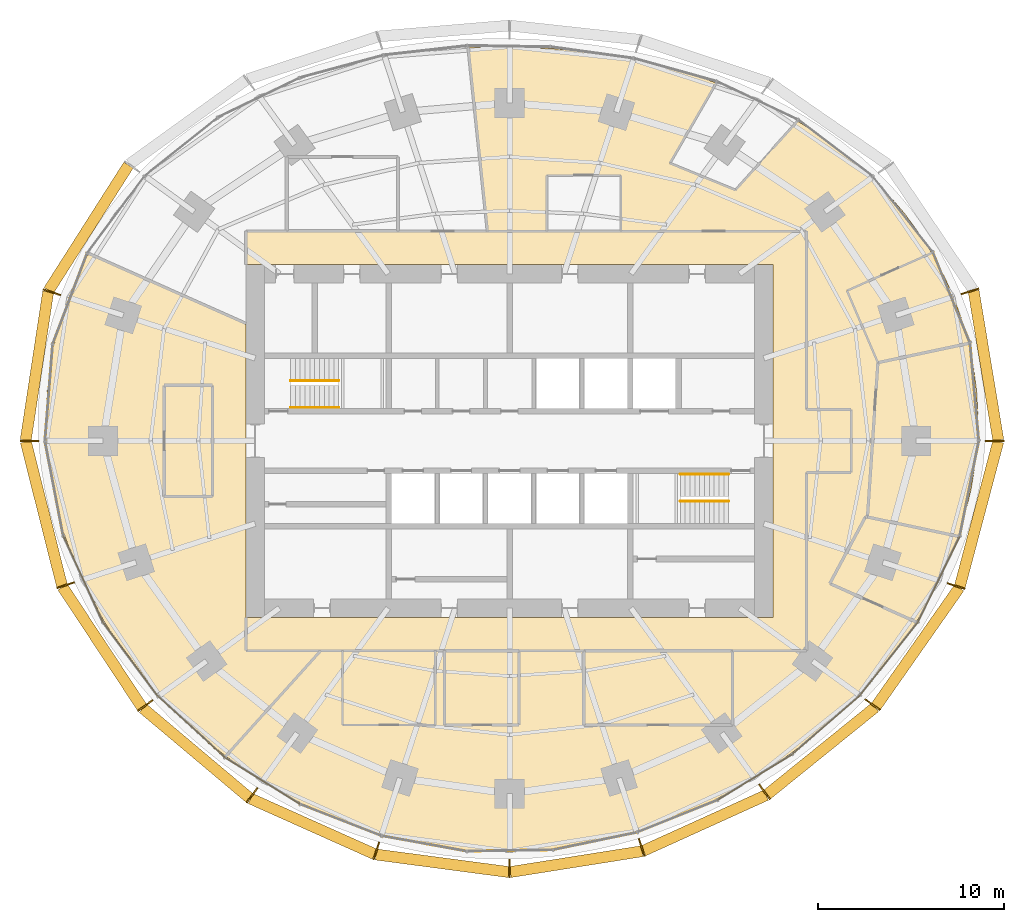
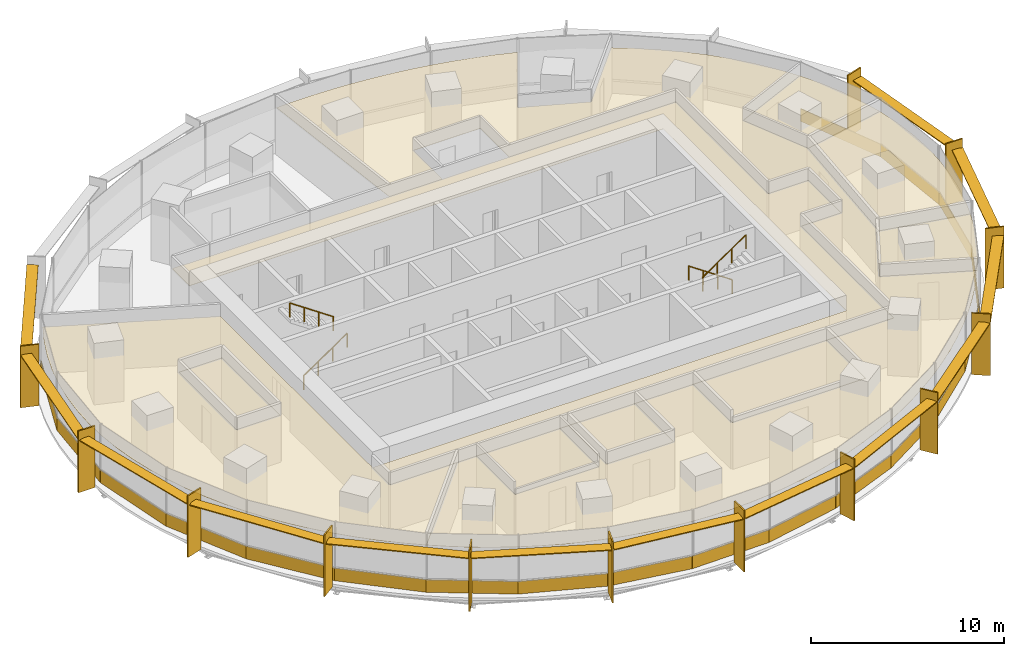
# One storey, part 13 of 14: 29 coverings, 26 shading devices, 4 railings.
"""IFC4 building model written with IfcOpenShell, lengths in metres."""

from ifc_helpers import new_model, si_unit, direction, frame, origin, origin_2d, place, context, subcontext, project, spatial, polyline, rectangle, circle, outline, extrude, material, layer, layer_set, type_object, element, save


model = new_model("IFC4")

# Units and contexts
model_context = context("Model", 3, precision=1e-05, world=origin(), true_north=direction((0.0, 1.0)))
body_context = subcontext(model_context, "Body", "Model", "MODEL_VIEW")
ifc_project = project(units=[si_unit("LENGTHUNIT", "METRE"), si_unit("AREAUNIT", "SQUARE_METRE"), si_unit("VOLUMEUNIT", "CUBIC_METRE"), si_unit("PLANEANGLEUNIT", "RADIAN"), si_unit("MASSUNIT", "GRAM", prefix="KILO")], contexts=[model_context])

# Site, building, storey
site_placement = place(None, origin())
site = spatial("IfcSite", under=ifc_project, at=site_placement, CompositionType="ELEMENT")
building_placement = place(site_placement, origin())
building = spatial("IfcBuilding", under=site, at=building_placement, Name="Marramba Exchange Tower", CompositionType="ELEMENT")
storey_placement = place(building_placement, frame((0.0, 0.0, 127.5)))
storey = spatial("IfcBuildingStorey", under=building, at=storey_placement, Name="L30", CompositionType="ELEMENT", Elevation=127.5)

# Shading devices
ifc_material_1 = material(Name="Aluminium blade, timber-look bronze finish", Category="wood")
ifc_layer_1 = layer(ifc_material_1, 0.080078125)
ifc_layer_set_1 = layer_set([ifc_layer_1], Name="Floor-edge blade 1000x80")
shading_device_type_1 = type_object("IfcShadingDeviceType", Name="Floor-edge blade 1000x80", PredefinedType="USERDEFINED", material=ifc_layer_set_1)
for number, where, z_axis, x_axis, name in (
    (1, (26.132080078125, 0.0, -0.159912109375), (0.0, 0.0, 1.0), (1.0, 0.0, 0.0), "Floor-edge blade FB1 L30 TC01"),
    (2, (24.798583984375, 8.0576171875, -0.159912109375), (0.0, 0.0, 1.0), (0.951056516295, 0.309016994375, 0.0), "Floor-edge blade FB1 L30 TC02"),
    (3, (-24.653076171875, 8.01025390625, -0.159912109375), (0.0, 0.0, 1.0), (-0.951056516295, 0.309016994375, 0.0), "Floor-edge blade FB1 L30 TC10"),
    (4, (-25.867919921875, 0.0, -0.159912109375), (0.0, 0.0, 1.0), (-1.0, 0.0, 0.0), "Floor-edge blade FB1 L30 TC11"),
    (5, (-23.90673828125, -7.767822265625, -0.159912109375), (0.0, 0.0, 1.0), (-0.951056516295, -0.309016994375, 0.0), "Floor-edge blade FB1 L30 TC12"),
    (6, (-19.618408203125, -14.253662109375, -0.159912109375), (0.0, 0.0, 1.0), (-0.809016994375, -0.587785252292, 0.0), "Floor-edge blade FB1 L30 TC13"),
    (7, (-13.866943359375, -19.08642578125, -0.159912109375), (0.0, 0.0, 1.0), (-0.587785252292, -0.809016994375, 0.0), "Floor-edge blade FB1 L30 TC14"),
    (8, (-7.173828125, -22.078857421875, -0.159912109375), (0.0, 0.0, 1.0), (-0.309016994375, -0.951056516295, 0.0), "Floor-edge blade FB1 L30 TC15"),
    (9, (0.0, -23.02685546875, -0.159912109375), (0.0, 0.0, 1.0), (0.0, -1.0, 0.0), "Floor-edge blade FB1 L30 TC16"),
    (10, (7.115966796875, -21.900634765625, -0.159912109375), (0.0, 0.0, 1.0), (0.309016994375, -0.951056516295, 0.0), "Floor-edge blade FB1 L30 TC17"),
    (11, (13.733154296875, -18.902099609375, -0.159912109375), (0.0, 0.0, 1.0), (0.587785252292, -0.809016994375, 0.0), "Floor-edge blade FB1 L30 TC18"),
    (12, (19.555908203125, -14.208251953125, -0.159912109375), (0.0, 0.0, 1.0), (0.809016994375, -0.587785252292, 0.0), "Floor-edge blade FB1 L30 TC19"),
    (13, (24.052001953125, -7.81494140625, -0.159912109375), (0.0, 0.0, 1.0), (0.951056516295, -0.309016994375, 0.0), "Floor-edge blade FB1 L30 TC20"),
):
    element("IfcShadingDevice", number, at=place(storey_placement, frame(where, z_axis=z_axis, x_axis=x_axis)), inside=storey, type_object=shading_device_type_1, Name=name, ObjectType="FIN", PredefinedType="USERDEFINED", context=body_context, shape_type="SweptSolid", body=[
        extrude(rectangle(XDim=1.0, YDim=0.080078125, at=origin_2d()), origin(), (0.0, 0.0, 1.0), 3.89990234375),
    ])
ifc_material_2 = material(Name="Aluminium sunshade, bronze anodised", Category="aluminium")
ifc_layer_2 = layer(ifc_material_2, 0.06005859375)
ifc_layer_set_2 = layer_set([ifc_layer_2], Name="SUNSHADE blade 600x60")
shading_device_type_2 = type_object("IfcShadingDeviceType", Name="SUNSHADE blade 600x60", PredefinedType="USERDEFINED", material=ifc_layer_set_2)
shading_device_1_placement = place(storey_placement, frame((25.660400390625, 4.0595703125, 3.159912109375), z_axis=(0.0, 0.0, 1.0), x_axis=(-0.163227675764, 0.986588427798, 0.0)))
element("IfcShadingDevice", 14, at=shading_device_1_placement, inside=storey, type_object=shading_device_type_2, Name="Sunshade SS1 L30 bay 01", ObjectType="SUNSHADE", PredefinedType="USERDEFINED", context=body_context, shape_type="SweptSolid", body=[
    extrude(rectangle(XDim=8.149658203125, YDim=0.60009765625, at=origin_2d()), origin(), (0.0, 0.0, 1.0), 0.06005859375),
])
shading_device_2_placement = place(storey_placement, frame((-22.6708984375, 11.482421875, 3.159912109375), z_axis=(0.0, 0.0, 1.0), x_axis=(-0.537284770546, -0.843400898351, 0.0)))
element("IfcShadingDevice", 15, at=shading_device_2_placement, inside=storey, type_object=shading_device_type_2, Name="Sunshade SS1 L30 bay 09", ObjectType="SUNSHADE", PredefinedType="USERDEFINED", context=body_context, shape_type="SweptSolid", body=[
    extrude(rectangle(XDim=8.007080078125, YDim=0.60009765625, at=origin_2d()), origin(), (0.0, 0.0, 1.0), 0.06005859375),
])
shading_device_3_placement = place(storey_placement, frame((-25.455810546875, 4.0361328125, 3.159912109375), z_axis=(0.0, 0.0, 1.0), x_axis=(-0.14999307077, -0.988687047918, 0.0)))
element("IfcShadingDevice", 16, at=shading_device_3_placement, inside=storey, type_object=shading_device_type_2, Name="Sunshade SS1 L30 bay 10", ObjectType="SUNSHADE", PredefinedType="USERDEFINED", context=body_context, shape_type="SweptSolid", body=[
    extrude(rectangle(XDim=8.08447265625, YDim=0.60009765625, at=origin_2d()), origin(), (0.0, 0.0, 1.0), 0.06005859375),
])
shading_device_4_placement = place(storey_placement, frame((-25.08251953125, -3.914794921875, 3.159912109375), z_axis=(0.0, 0.0, 1.0), x_axis=(0.244116522902, -0.969745906537, 0.0)))
element("IfcShadingDevice", 17, at=shading_device_4_placement, inside=storey, type_object=shading_device_type_2, Name="Sunshade SS1 L30 bay 11", ObjectType="SUNSHADE", PredefinedType="USERDEFINED", context=body_context, shape_type="SweptSolid", body=[
    extrude(rectangle(XDim=7.993896484375, YDim=0.60009765625, at=origin_2d()), origin(), (0.0, 0.0, 1.0), 0.06005859375),
])
shading_device_5_placement = place(storey_placement, frame((-21.938720703125, -11.100341796875, 3.159912109375), z_axis=(0.0, 0.0, 1.0), x_axis=(0.550792342935, -0.834642315585, 0.0)))
element("IfcShadingDevice", 18, at=shading_device_5_placement, inside=storey, type_object=shading_device_type_2, Name="Sunshade SS1 L30 bay 12", ObjectType="SUNSHADE", PredefinedType="USERDEFINED", context=body_context, shape_type="SweptSolid", body=[
    extrude(rectangle(XDim=7.757568359375, YDim=0.60009765625, at=origin_2d()), origin(), (0.0, 0.0, 1.0), 0.06005859375),
])
shading_device_6_placement = place(storey_placement, frame((-16.88232421875, -16.8095703125, 3.159912109375), z_axis=(0.0, 0.0, 1.0), x_axis=(0.76513863304, -0.643865569998, 0.0)))
element("IfcShadingDevice", 19, at=shading_device_6_placement, inside=storey, type_object=shading_device_type_2, Name="Sunshade SS1 L30 bay 13", ObjectType="SUNSHADE", PredefinedType="USERDEFINED", context=body_context, shape_type="SweptSolid", body=[
    extrude(rectangle(XDim=7.49462890625, YDim=0.60009765625, at=origin_2d()), origin(), (0.0, 0.0, 1.0), 0.06005859375),
])
shading_device_7_placement = place(storey_placement, frame((-10.610107421875, -20.758544921875, 3.159912109375), z_axis=(0.0, 0.0, 1.0), x_axis=(0.912735880581, -0.408550134377, 0.0)))
element("IfcShadingDevice", 20, at=shading_device_7_placement, inside=storey, type_object=shading_device_type_2, Name="Sunshade SS1 L30 bay 14", ObjectType="SUNSHADE", PredefinedType="USERDEFINED", context=body_context, shape_type="SweptSolid", body=[
    extrude(rectangle(XDim=7.314208984375, YDim=0.60009765625, at=origin_2d()), origin(), (0.0, 0.0, 1.0), 0.06005859375),
])
shading_device_8_placement = place(storey_placement, frame((-3.617919921875, -22.748046875, 3.159912109375), z_axis=(0.0, 0.0, 1.0), x_axis=(0.991350478855, -0.131241106646, 0.0)))
element("IfcShadingDevice", 21, at=shading_device_8_placement, inside=storey, type_object=shading_device_type_2, Name="Sunshade SS1 L30 bay 15", ObjectType="SUNSHADE", PredefinedType="USERDEFINED", context=body_context, shape_type="SweptSolid", body=[
    extrude(rectangle(XDim=7.21875, YDim=0.60009765625, at=origin_2d()), origin(), (0.0, 0.0, 1.0), 0.06005859375),
])
shading_device_9_placement = place(storey_placement, frame((3.5888671875, -22.658935546875, 3.159912109375), z_axis=(0.0, 0.0, 1.0), x_axis=(0.987704817912, 0.15633039587, 0.0)))
element("IfcShadingDevice", 22, at=shading_device_9_placement, inside=storey, type_object=shading_device_type_2, Name="Sunshade SS1 L30 bay 16", ObjectType="SUNSHADE", PredefinedType="USERDEFINED", context=body_context, shape_type="SweptSolid", body=[
    extrude(rectangle(XDim=7.18701171875, YDim=0.60009765625, at=origin_2d()), origin(), (0.0, 0.0, 1.0), 0.06005859375),
])
shading_device_10_placement = place(storey_placement, frame((10.514404296875, -20.577392578125, 3.159912109375), z_axis=(0.0, 0.0, 1.0), x_axis=(0.910692240548, 0.413085515366, 0.0)))
element("IfcShadingDevice", 23, at=shading_device_10_placement, inside=storey, type_object=shading_device_type_2, Name="Sunshade SS1 L30 bay 17", ObjectType="SUNSHADE", PredefinedType="USERDEFINED", context=body_context, shape_type="SweptSolid", body=[
    extrude(rectangle(XDim=7.24755859375, YDim=0.60009765625, at=origin_2d()), origin(), (0.0, 0.0, 1.0), 0.06005859375),
])
shading_device_11_placement = place(storey_placement, frame((16.7841796875, -16.69482421875, 3.159912109375), z_axis=(0.0, 0.0, 1.0), x_axis=(0.777962439436, 0.628310785223, 0.0)))
element("IfcShadingDevice", 24, at=shading_device_11_placement, inside=storey, type_object=shading_device_type_2, Name="Sunshade SS1 L30 bay 18", ObjectType="SUNSHADE", PredefinedType="USERDEFINED", context=body_context, shape_type="SweptSolid", body=[
    extrude(rectangle(XDim=7.46142578125, YDim=0.60009765625, at=origin_2d()), origin(), (0.0, 0.0, 1.0), 0.06005859375),
])
shading_device_12_placement = place(storey_placement, frame((21.97998046875, -11.101318359375, 3.159912109375), z_axis=(0.0, 0.0, 1.0), x_axis=(0.574350885858, 0.818609222959, 0.0)))
element("IfcShadingDevice", 25, at=shading_device_12_placement, inside=storey, type_object=shading_device_type_2, Name="Sunshade SS1 L30 bay 19", ObjectType="SUNSHADE", PredefinedType="USERDEFINED", context=body_context, shape_type="SweptSolid", body=[
    extrude(rectangle(XDim=7.7978515625, YDim=0.60009765625, at=origin_2d()), origin(), (0.0, 0.0, 1.0), 0.06005859375),
])
shading_device_13_placement = place(storey_placement, frame((25.287109375, -3.9384765625, 3.159912109375), z_axis=(0.0, 0.0, 1.0), x_axis=(0.256422950151, 0.966564674833, 0.0)))
element("IfcShadingDevice", 26, at=shading_device_13_placement, inside=storey, type_object=shading_device_type_2, Name="Sunshade SS1 L30 bay 20", ObjectType="SUNSHADE", PredefinedType="USERDEFINED", context=body_context, shape_type="SweptSolid", body=[
    extrude(rectangle(XDim=8.0693359375, YDim=0.60009765625, at=origin_2d()), origin(), (0.0, 0.0, 1.0), 0.06005859375),
])

# Coverings
ifc_material_3 = material(Name="Aluminium spandrel panel, bronze anodised, insulated", Category="aluminium")
ifc_layer_3 = layer(ifc_material_3, 0.050048828125)
ifc_layer_set_3 = layer_set([ifc_layer_3], Name="Spandrel panel 800")
covering_type_1 = type_object("IfcCoveringType", Name="Spandrel panel 800", PredefinedType="CLADDING", material=ifc_layer_set_3)
covering_1_placement = place(storey_placement, frame((25.04541015625, 2.63671875, 0.0), z_axis=(0.0, 0.0, 1.0), x_axis=(-0.089412890131, 0.995994646109, 0.0)))
element("IfcCovering", 27, at=covering_1_placement, inside=storey, type_object=covering_type_1, Name="Spandrel panel SP1 L30 F01", PredefinedType="CLADDING", context=body_context, shape_type="SweptSolid", body=[
    extrude(rectangle(XDim=5.29443359375, YDim=0.050048828125, at=origin_2d()), origin(), (0.0, 0.0, 1.0), 0.800048828125),
])
covering_2_placement = place(storey_placement, frame((23.81201171875, 7.715576171875, 0.0), z_axis=(0.0, 0.0, 1.0), x_axis=(-0.377821185272, 0.925878583811, 0.0)))
element("IfcCovering", 28, at=covering_2_placement, inside=storey, type_object=covering_type_1, Name="Spandrel panel SP1 L30 F02", PredefinedType="CLADDING", context=body_context, shape_type="SweptSolid", body=[
    extrude(rectangle(XDim=5.27587890625, YDim=0.050048828125, at=origin_2d()), origin(), (0.0, 0.0, 1.0), 0.800048828125),
])
covering_3_placement = place(storey_placement, frame((-23.671875, 7.677490234375, 0.0), z_axis=(0.0, 0.0, 1.0), x_axis=(-0.354844476365, -0.934925343326, 0.0)))
element("IfcCovering", 29, at=covering_3_placement, inside=storey, type_object=covering_type_1, Name="Spandrel panel SP1 L30 F14", PredefinedType="CLADDING", context=body_context, shape_type="SweptSolid", body=[
    extrude(rectangle(XDim=5.2373046875, YDim=0.050048828125, at=origin_2d()), origin(), (0.0, 0.0, 1.0), 0.800048828125),
])
covering_4_placement = place(storey_placement, frame((-24.8095703125, 2.614501953125, 0.0), z_axis=(0.0, 0.0, 1.0), x_axis=(-0.079459700697, -0.996838079111, 0.0)))
element("IfcCovering", 30, at=covering_4_placement, inside=storey, type_object=covering_type_1, Name="Spandrel panel SP1 L30 F15", PredefinedType="CLADDING", context=body_context, shape_type="SweptSolid", body=[
    extrude(rectangle(XDim=5.245849609375, YDim=0.050048828125, at=origin_2d()), origin(), (0.0, 0.0, 1.0), 0.800048828125),
])
covering_5_placement = place(storey_placement, frame((-24.5283203125, -2.5546875, 0.0), z_axis=(0.0, 0.0, 1.0), x_axis=(0.188227222909, -0.982125507538, 0.0)))
element("IfcCovering", 31, at=covering_5_placement, inside=storey, type_object=covering_type_1, Name="Spandrel panel SP1 L30 F16", PredefinedType="CLADDING", context=body_context, shape_type="SweptSolid", body=[
    extrude(rectangle(XDim=5.20263671875, YDim=0.050048828125, at=origin_2d()), origin(), (0.0, 0.0, 1.0), 0.800048828125),
])
covering_6_placement = place(storey_placement, frame((-22.973876953125, -7.43212890625, 0.0), z_axis=(0.0, 0.0, 1.0), x_axis=(0.416737850896, -0.909026712275, 0.0)))
element("IfcCovering", 32, at=covering_6_placement, inside=storey, type_object=covering_type_1, Name="Spandrel panel SP1 L30 F17", PredefinedType="CLADDING", context=body_context, shape_type="SweptSolid", body=[
    extrude(rectangle(XDim=5.10986328125, YDim=0.050048828125, at=origin_2d()), origin(), (0.0, 0.0, 1.0), 0.800048828125),
])
covering_7_placement = place(storey_placement, frame((-20.419921875, -11.75439453125, 0.0), z_axis=(0.0, 0.0, 1.0), x_axis=(0.597304701232, -0.802014397555, 0.0)))
element("IfcCovering", 33, at=covering_7_placement, inside=storey, type_object=covering_type_1, Name="Spandrel panel SP1 L30 F18", PredefinedType="CLADDING", context=body_context, shape_type="SweptSolid", body=[
    extrude(rectangle(XDim=4.986572265625, YDim=0.050048828125, at=origin_2d()), origin(), (0.0, 0.0, 1.0), 0.800048828125),
])
covering_8_placement = place(storey_placement, frame((-17.135986328125, -15.39599609375, 0.0), z_axis=(0.0, 0.0, 1.0), x_axis=(0.737821889246, -0.674995451651, 0.0)))
element("IfcCovering", 34, at=covering_8_placement, inside=storey, type_object=covering_type_1, Name="Spandrel panel SP1 L30 F19", PredefinedType="CLADDING", context=body_context, shape_type="SweptSolid", body=[
    extrude(rectangle(XDim=4.865234375, YDim=0.050048828125, at=origin_2d()), origin(), (0.0, 0.0, 1.0), 0.800048828125),
])
covering_9_placement = place(storey_placement, frame((-13.31787109375, -18.300537109375, 0.0), z_axis=(0.0, 0.0, 1.0), x_axis=(0.848354599309, -0.529428440708, 0.0)))
element("IfcCovering", 35, at=covering_9_placement, inside=storey, type_object=covering_type_1, Name="Spandrel panel SP1 L30 F20", PredefinedType="CLADDING", context=body_context, shape_type="SweptSolid", body=[
    extrude(rectangle(XDim=4.76953125, YDim=0.050048828125, at=origin_2d()), origin(), (0.0, 0.0, 1.0), 0.800048828125),
])
covering_10_placement = place(storey_placement, frame((-9.10302734375, -20.416748046875, 0.0), z_axis=(0.0, 0.0, 1.0), x_axis=(0.931818387481, -0.362924913381, 0.0)))
element("IfcCovering", 36, at=covering_10_placement, inside=storey, type_object=covering_type_1, Name="Spandrel panel SP1 L30 F21", PredefinedType="CLADDING", context=body_context, shape_type="SweptSolid", body=[
    extrude(rectangle(XDim=4.704345703125, YDim=0.050048828125, at=origin_2d()), origin(), (0.0, 0.0, 1.0), 0.800048828125),
])
covering_11_placement = place(storey_placement, frame((-4.616943359375, -21.685302734375, 0.0), z_axis=(0.0, 0.0, 1.0), x_axis=(0.984031866928, -0.177992373069, 0.0)))
element("IfcCovering", 37, at=covering_11_placement, inside=storey, type_object=covering_type_1, Name="Spandrel panel SP1 L30 F22", PredefinedType="CLADDING", context=body_context, shape_type="SweptSolid", body=[
    extrude(rectangle(XDim=4.662841796875, YDim=0.050048828125, at=origin_2d()), origin(), (0.0, 0.0, 1.0), 0.800048828125),
])
covering_12_placement = place(storey_placement, frame((-0.003662109375, -22.065185546875, 0.0), z_axis=(0.0, 0.0, 1.0), x_axis=(0.999884797651, 0.015178650325, 0.0)))
element("IfcCovering", 38, at=covering_12_placement, inside=storey, type_object=covering_type_1, Name="Spandrel panel SP1 L30 F23", PredefinedType="CLADDING", context=body_context, shape_type="SweptSolid", body=[
    extrude(rectangle(XDim=4.638916015625, YDim=0.050048828125, at=origin_2d()), origin(), (0.0, 0.0, 1.0), 0.800048828125),
])
covering_13_placement = place(storey_placement, frame((4.58447265625, -21.56103515625, 0.0), z_axis=(0.0, 0.0, 1.0), x_axis=(0.979310200528, 0.202364846604, 0.0)))
element("IfcCovering", 39, at=covering_13_placement, inside=storey, type_object=covering_type_1, Name="Spandrel panel SP1 L30 F24", PredefinedType="CLADDING", context=body_context, shape_type="SweptSolid", body=[
    extrude(rectangle(XDim=4.6337890625, YDim=0.050048828125, at=origin_2d()), origin(), (0.0, 0.0, 1.0), 0.800048828125),
])
covering_14_placement = place(storey_placement, frame((9.014892578125, -20.225341796875, 0.0), z_axis=(0.0, 0.0, 1.0), x_axis=(0.928148914987, 0.372209069755, 0.0)))
element("IfcCovering", 40, at=covering_14_placement, inside=storey, type_object=covering_type_1, Name="Spandrel panel SP1 L30 F25", PredefinedType="CLADDING", context=body_context, shape_type="SweptSolid", body=[
    extrude(rectangle(XDim=4.657958984375, YDim=0.050048828125, at=origin_2d()), origin(), (0.0, 0.0, 1.0), 0.800048828125),
])
covering_15_placement = place(storey_placement, frame((13.193115234375, -18.125244140625, 0.0), z_axis=(0.0, 0.0, 1.0), x_axis=(0.853109118827, 0.521732528576, 0.0)))
element("IfcCovering", 41, at=covering_15_placement, inside=storey, type_object=covering_type_1, Name="Spandrel panel SP1 L30 F26", PredefinedType="CLADDING", context=body_context, shape_type="SweptSolid", body=[
    extrude(rectangle(XDim=4.7275390625, YDim=0.050048828125, at=origin_2d()), origin(), (0.0, 0.0, 1.0), 0.800048828125),
])
covering_16_placement = place(storey_placement, frame((17.038818359375, -15.30029296875, 0.0), z_axis=(0.0, 0.0, 1.0), x_axis=(0.754385510875, 0.656431642277, 0.0)))
element("IfcCovering", 42, at=covering_16_placement, inside=storey, type_object=covering_type_1, Name="Spandrel panel SP1 L30 F27", PredefinedType="CLADDING", context=body_context, shape_type="SweptSolid", body=[
    extrude(rectangle(XDim=4.849609375, YDim=0.050048828125, at=origin_2d()), origin(), (0.0, 0.0, 1.0), 0.800048828125),
])
covering_17_placement = place(storey_placement, frame((20.425048828125, -11.747802734375, 0.0), z_axis=(0.0, 0.0, 1.0), x_axis=(0.621807470279, 0.783170141097, 0.0)))
element("IfcCovering", 43, at=covering_17_placement, inside=storey, type_object=covering_type_1, Name="Spandrel panel SP1 L30 F28", PredefinedType="CLADDING", context=body_context, shape_type="SweptSolid", body=[
    extrude(rectangle(XDim=5.00732421875, YDim=0.050048828125, at=origin_2d()), origin(), (0.0, 0.0, 1.0), 0.800048828125),
])
covering_18_placement = place(storey_placement, frame((23.114013671875, -7.47021484375, 0.0), z_axis=(0.0, 0.0, 1.0), x_axis=(0.439086346903, 0.898444867515, 0.0)))
element("IfcCovering", 44, at=covering_18_placement, inside=storey, type_object=covering_type_1, Name="Spandrel panel SP1 L30 F29", PredefinedType="CLADDING", context=body_context, shape_type="SweptSolid", body=[
    extrude(rectangle(XDim=5.156982421875, YDim=0.050048828125, at=origin_2d()), origin(), (0.0, 0.0, 1.0), 0.800048828125),
])
covering_19_placement = place(storey_placement, frame((24.76416015625, -2.576904296875, 0.0), z_axis=(0.0, 0.0, 1.0), x_axis=(0.197048514193, 0.980393738788, 0.0)))
element("IfcCovering", 45, at=covering_19_placement, inside=storey, type_object=covering_type_1, Name="Spandrel panel SP1 L30 F30", PredefinedType="CLADDING", context=body_context, shape_type="SweptSolid", body=[
    extrude(rectangle(XDim=5.2568359375, YDim=0.050048828125, at=origin_2d()), origin(), (0.0, 0.0, 1.0), 0.800048828125),
])

# Railings
ifc_material_4 = material(Name="Stainless steel handrail", Category="steel")
railing_type = type_object("IfcRailingType", Name="Stair handrail 900", PredefinedType="HANDRAIL", material=ifc_material_4)
railing_1_placement = place(storey_placement, frame((-11.800048828125, 1.800048828125, 0.17724609375)))
element("IfcRailing", 46, at=railing_1_placement, inside=storey, type_object=railing_type, Name="Handrail HR1 ST1 L30 flight 1", PredefinedType="HANDRAIL", context=body_context, shape_type="SweptSolid", body=[
    extrude(circle(Radius=0.02392578125, at=origin_2d()), frame((0.0, 0.0, 0.8759765625), z_axis=(0.826240473404, 0.0, 0.563317565952), x_axis=(0.0, 1.0, 0.0)), (0.0, 0.0, 1.0), 3.14697265625),
    extrude(circle(Radius=0.02099609375, at=origin_2d()), origin(), (0.0, 0.0, 1.0), 0.851806640625),
    extrude(circle(Radius=0.02099609375, at=origin_2d()), frame((0.86669921875, 0.0, 0.5908203125)), (0.0, 0.0, 1.0), 0.851806640625),
    extrude(circle(Radius=0.02099609375, at=origin_2d()), frame((1.7333984375, 0.0, 1.181884765625)), (0.0, 0.0, 1.0), 0.851806640625),
    extrude(circle(Radius=0.02099609375, at=origin_2d()), frame((2.60009765625, 0.0, 1.772705078125)), (0.0, 0.0, 1.0), 0.851806640625),
])
for number, where, name in (
    (47, (-9.199951171875, 3.25, 2.127197265625), "Handrail HR1 ST1 L30 flight 2"),
    (48, (11.800048828125, -1.800048828125, 0.17724609375), "Handrail HR1 ST2 L30 flight 1"),
):
    element("IfcRailing", number, at=place(storey_placement, frame(where)), inside=storey, type_object=railing_type, Name=name, PredefinedType="HANDRAIL", context=body_context, shape_type="SweptSolid", body=[
        extrude(circle(Radius=0.02392578125, at=origin_2d()), frame((0.0, 0.0, 0.8759765625), z_axis=(-0.826240473404, 0.0, 0.563317565952), x_axis=(0.0, -1.0, 0.0)), (0.0, 0.0, 1.0), 3.14697265625),
        extrude(circle(Radius=0.02099609375, at=origin_2d()), origin(), (0.0, 0.0, 1.0), 0.851806640625),
        extrude(circle(Radius=0.02099609375, at=origin_2d()), frame((-0.86669921875, 0.0, 0.5908203125)), (0.0, 0.0, 1.0), 0.851806640625),
        extrude(circle(Radius=0.02099609375, at=origin_2d()), frame((-1.7333984375, 0.0, 1.181884765625)), (0.0, 0.0, 1.0), 0.851806640625),
        extrude(circle(Radius=0.02099609375, at=origin_2d()), frame((-2.60009765625, 0.0, 1.772705078125)), (0.0, 0.0, 1.0), 0.851806640625),
    ])
railing_2_placement = place(storey_placement, frame((9.199951171875, -3.25, 2.127197265625)))
element("IfcRailing", 49, at=railing_2_placement, inside=storey, type_object=railing_type, Name="Handrail HR1 ST2 L30 flight 2", PredefinedType="HANDRAIL", context=body_context, shape_type="SweptSolid", body=[
    extrude(circle(Radius=0.02392578125, at=origin_2d()), frame((0.0, 0.0, 0.8759765625), z_axis=(0.826240473404, 0.0, 0.563317565952), x_axis=(0.0, 1.0, 0.0)), (0.0, 0.0, 1.0), 3.14697265625),
    extrude(circle(Radius=0.02099609375, at=origin_2d()), origin(), (0.0, 0.0, 1.0), 0.851806640625),
    extrude(circle(Radius=0.02099609375, at=origin_2d()), frame((0.86669921875, 0.0, 0.5908203125)), (0.0, 0.0, 1.0), 0.851806640625),
    extrude(circle(Radius=0.02099609375, at=origin_2d()), frame((1.7333984375, 0.0, 1.181884765625)), (0.0, 0.0, 1.0), 0.851806640625),
    extrude(circle(Radius=0.02099609375, at=origin_2d()), frame((2.60009765625, 0.0, 1.772705078125)), (0.0, 0.0, 1.0), 0.851806640625),
])

# Coverings
ifc_material_5 = material(Name="Mineral fibre ceiling tiles", Category="gypsum")
ifc_layer_4 = layer(ifc_material_5, 0.02001953125)
ifc_layer_set_4 = layer_set([ifc_layer_4], Name="Suspended ceiling 20")
covering_type_2 = type_object("IfcCoveringType", Name="Suspended ceiling 20", PredefinedType="CEILING", material=ifc_layer_set_4)
covering_20_placement = place(storey_placement, frame((0.0, 0.0, 2.89990234375)))
element("IfcCovering", 50, at=covering_20_placement, inside=storey, type_object=covering_type_2, Name="Ceiling CL1 L30 Open Plan Office 1", PredefinedType="CEILING", context=body_context, shape_type="SweptSolid", body=[
    extrude(outline(polyline([(16.0, -1.699951171875), (18.39990234375, -1.699951171875), (18.39990234375, 1.699951171875), (16.0, 1.699951171875), (16.0, 11.300048828125), (6.0, 11.300048828125), (6.0, 14.300048828125), (2.0, 14.300048828125), (2.0, 11.300048828125), (-1.187744140625, 11.300048828125), (-2.2294921875, 21.212158203125), (-1.11328125, 21.244384765625), (0.0, 21.2431640625), (1.111572265625, 21.208740234375), (2.22216796875, 21.1416015625), (3.332763671875, 21.041748046875), (4.444091796875, 20.907958984375), (5.556884765625, 20.739013671875), (6.671630859375, 20.533203125), (7.787841796875, 20.287841796875), (8.905029296875, 20.0009765625), (10.02197265625, 19.6689453125), (11.13671875, 19.289306640625), (8.63671875, 14.958984375), (12.166748046875, 13.512451171875), (15.512451171875, 17.228271484375), (16.563720703125, 16.563720703125), (17.5869140625, 15.835205078125), (18.5751953125, 15.041748046875), (19.521484375, 14.18310546875), (20.4189453125, 13.26025390625), (21.259765625, 12.2744140625), (22.03662109375, 11.228271484375), (22.7421875, 10.12548828125), (18.174560546875, 8.091796875), (19.839599609375, 4.217041015625), (19.277099609375, -4.097412109375), (19.179443359375, -4.07666015625), (17.24951171875, -7.679931640625), (21.90869140625, -9.75439453125), (21.197509765625, -10.80078125), (20.439697265625, -11.80078125), (19.64013671875, -12.75439453125), (18.803466796875, -13.66162109375), (17.93359375, -14.5224609375), (17.033935546875, -15.33740234375), (16.107421875, -16.107421875), (15.156005859375, -16.83251953125), (14.181884765625, -17.51318359375), (13.1865234375, -18.14990234375), (12.171142578125, -18.741943359375), (11.13671875, -19.289306640625), (10.083984375, -19.791259765625), (9.0146484375, -20.2470703125), (7.928955078125, -20.65576171875), (6.82861328125, -21.01611328125), (5.714599609375, -21.3271484375), (4.58837890625, -21.587158203125), (3.4521484375, -21.79541015625), (2.30712890625, -21.950439453125), (1.15576171875, -22.05126953125), (0.0, -22.096923828125), (-1.157470703125, -22.0869140625), (-2.314453125, -22.020751953125), (-3.468505859375, -21.898193359375), (-4.61669921875, -21.719482421875), (-5.7568359375, -21.484619140625), (-6.886474609375, -21.1943359375), (-8.00341796875, -20.84912109375), (-9.10498046875, -20.4501953125), (-10.189453125, -19.997802734375), (-11.2548828125, -19.493896484375), (-12.299072265625, -18.938720703125), (-13.3203125, -18.333984375), (-14.317138671875, -17.68017578125), (-15.28759765625, -16.978515625), (-10.174560546875, -11.300048828125), (-9.0, -11.300048828125), (-9.0, -15.300048828125), (-4.0, -15.300048828125), (-4.0, -11.300048828125), (-3.5, -11.300048828125), (-3.5, -15.300048828125), (0.5, -15.300048828125), (0.5, -11.300048828125), (4.0, -11.300048828125), (4.0, -15.300048828125), (12.0, -15.300048828125), (12.0, -11.300048828125), (16.0, -11.300048828125), (16.0, -1.699951171875)])), origin(), (0.0, 0.0, 1.0), 0.02001953125),
])
covering_21_placement = place(storey_placement, frame((0.0, 0.0, 2.89990234375)))
element("IfcCovering", 51, at=covering_21_placement, inside=storey, type_object=covering_type_2, Name="Ceiling CL1 L30 Office 3", PredefinedType="CEILING", context=body_context, shape_type="SweptSolid", body=[
    extrude(outline(polyline([(-14.199951171875, -9.5), (-14.199951171875, -11.300048828125), (-10.174560546875, -11.300048828125), (-14.12744140625, -15.690185546875), (-15.28759765625, -16.978515625), (-16.229736328125, -16.229736328125), (-17.1416015625, -15.434326171875), (-18.021240234375, -14.59326171875), (-18.865966796875, -13.706787109375), (-19.673095703125, -12.77587890625), (-20.439697265625, -11.80078125), (-21.162109375, -10.78271484375), (-21.836181640625, -9.72216796875), (-22.457763671875, -8.62060546875), (-23.022216796875, -7.48046875), (-23.52490234375, -6.303466796875), (-23.96044921875, -5.093017578125), (-24.32421875, -3.8525390625), (-24.611083984375, -2.586669921875), (-24.81689453125, -1.300537109375), (-24.93798828125, 0.0), (-24.970947265625, 1.30859375), (-24.913330078125, 2.618408203125), (-24.76416015625, 3.92236328125), (-24.52294921875, 5.21240234375), (-24.1904296875, 6.481689453125), (-23.768798828125, 7.722900390625), (-23.260498046875, 8.928955078125), (-22.669677734375, 10.09326171875), (-18.59912109375, 8.281005859375), (-14.199951171875, 6.322265625), (-14.199951171875, -9.5)]), holes=[polyline([(-16.0, 3.0), (-18.60009765625, 3.0), (-18.60009765625, -3.0), (-16.0, -3.0), (-16.0, 3.0)])]), origin(), (0.0, 0.0, 1.0), 0.02001953125),
])
covering_22_placement = place(storey_placement, frame((0.0, 0.0, 2.89990234375)))
element("IfcCovering", 52, at=covering_22_placement, inside=storey, type_object=covering_type_2, Name="Ceiling CL1 L30 Corridor", PredefinedType="CEILING", context=body_context, shape_type="SweptSolid", body=[
    extrude(outline(polyline([(18.39990234375, -1.699951171875), (16.0, -1.699951171875), (16.0, -11.300048828125), (-14.199951171875, -11.300048828125), (-14.199951171875, -9.5), (14.199951171875, -9.5), (14.199951171875, -1.699951171875), (14.199951171875, 1.699951171875), (14.199951171875, 9.5), (-14.199951171875, 9.5), (-14.199951171875, 11.300048828125), (16.0, 11.300048828125), (16.0, 1.699951171875), (18.39990234375, 1.699951171875), (18.39990234375, -1.699951171875)])), origin(), (0.0, 0.0, 1.0), 0.02001953125),
])
covering_23_placement = place(storey_placement, frame((0.0, 0.0, 2.89990234375)))
element("IfcCovering", 53, at=covering_23_placement, inside=storey, type_object=covering_type_2, Name="Ceiling CL1 L30 Office 1", PredefinedType="CEILING", context=body_context, shape_type="SweptSolid", body=[
    extrude(outline(polyline([(22.854736328125, 9.91845703125), (23.3701171875, 8.970947265625), (23.9140625, 7.77001953125), (24.368896484375, 6.529541015625), (24.510009765625, 6.03271484375), (24.73046875, 5.256591796875), (19.839599609375, 4.217041015625), (18.174560546875, 8.091796875), (22.7421875, 10.12548828125), (22.854736328125, 9.91845703125)])), origin(), (0.0, 0.0, 1.0), 0.02001953125),
])
covering_24_placement = place(storey_placement, frame((0.0, 0.0, 2.89990234375)))
element("IfcCovering", 54, at=covering_24_placement, inside=storey, type_object=covering_type_2, Name="Ceiling CL1 L30 Meeting Room 1", PredefinedType="CEILING", context=body_context, shape_type="SweptSolid", body=[
    extrude(outline(polyline([(23.703125, -6.351318359375), (23.16748046875, -7.527587890625), (22.580810546875, -8.637451171875), (22.5673828125, -8.662841796875), (22.556640625, -8.6806640625), (21.90869140625, -9.75439453125), (17.24951171875, -7.679931640625), (19.179443359375, -4.07666015625), (24.16796875, -5.136962890625), (23.703125, -6.351318359375)])), origin(), (0.0, 0.0, 1.0), 0.02001953125),
])
covering_25_placement = place(storey_placement, frame((0.0, 0.0, 2.89990234375)))
element("IfcCovering", 55, at=covering_25_placement, inside=storey, type_object=covering_type_2, Name="Ceiling CL1 L30 Meeting Room 2", PredefinedType="CEILING", context=body_context, shape_type="SweptSolid", body=[
    extrude(outline(polyline([(24.86328125, 4.6064453125), (24.99560546875, 3.958984375), (25.16259765625, 2.644775390625), (25.186279296875, 2.190185546875), (25.231201171875, 1.322265625), (25.201904296875, 0.0), (25.181884765625, -0.212646484375), (25.077392578125, -1.314208984375), (24.96533203125, -1.984619140625), (24.8603515625, -2.61279296875), (24.80078125, -2.862548828125), (24.555419921875, -3.88916015625), (24.16796875, -5.136962890625), (19.277099609375, -4.097412109375), (19.839599609375, 4.217041015625), (24.73046875, 5.256591796875), (24.86328125, 4.6064453125)])), origin(), (0.0, 0.0, 1.0), 0.02001953125),
])
covering_26_placement = place(storey_placement, frame((0.0, 0.0, 2.89990234375)))
element("IfcCovering", 56, at=covering_26_placement, inside=storey, type_object=covering_type_2, Name="Ceiling CL1 L30 Meeting Room 3", PredefinedType="CEILING", context=body_context, shape_type="SweptSolid", body=[
    extrude(outline(polyline([(12.0, -15.300048828125), (4.0, -15.300048828125), (4.0, -11.300048828125), (12.0, -11.300048828125), (12.0, -15.300048828125)])), origin(), (0.0, 0.0, 1.0), 0.02001953125),
])
covering_27_placement = place(storey_placement, frame((0.0, 0.0, 2.89990234375)))
element("IfcCovering", 57, at=covering_27_placement, inside=storey, type_object=covering_type_2, Name="Ceiling CL1 L30 Pantry", PredefinedType="CEILING", context=body_context, shape_type="SweptSolid", body=[
    extrude(outline(polyline([(-4.0, -15.300048828125), (-9.0, -15.300048828125), (-9.0, -11.300048828125), (-4.0, -11.300048828125), (-4.0, -15.300048828125)])), origin(), (0.0, 0.0, 1.0), 0.02001953125),
])
covering_28_placement = place(storey_placement, frame((0.0, 0.0, 2.89990234375)))
element("IfcCovering", 58, at=covering_28_placement, inside=storey, type_object=covering_type_2, Name="Ceiling CL1 L30 Quiet Room 1", PredefinedType="CEILING", context=body_context, shape_type="SweptSolid", body=[
    extrude(outline(polyline([(0.5, -15.300048828125), (-3.5, -15.300048828125), (-3.5, -11.300048828125), (0.5, -11.300048828125), (0.5, -15.300048828125)])), origin(), (0.0, 0.0, 1.0), 0.02001953125),
])
covering_29_placement = place(storey_placement, frame((0.0, 0.0, 2.89990234375)))
element("IfcCovering", 59, at=covering_29_placement, inside=storey, type_object=covering_type_2, Name="Ceiling CL1 L30 Quiet Room 2", PredefinedType="CEILING", context=body_context, shape_type="SweptSolid", body=[
    extrude(outline(polyline([(-16.0, -3.0), (-18.60009765625, -3.0), (-18.60009765625, 3.0), (-16.0, 3.0), (-16.0, -3.0)])), origin(), (0.0, 0.0, 1.0), 0.02001953125),
])

save(model, "model.ifc")
